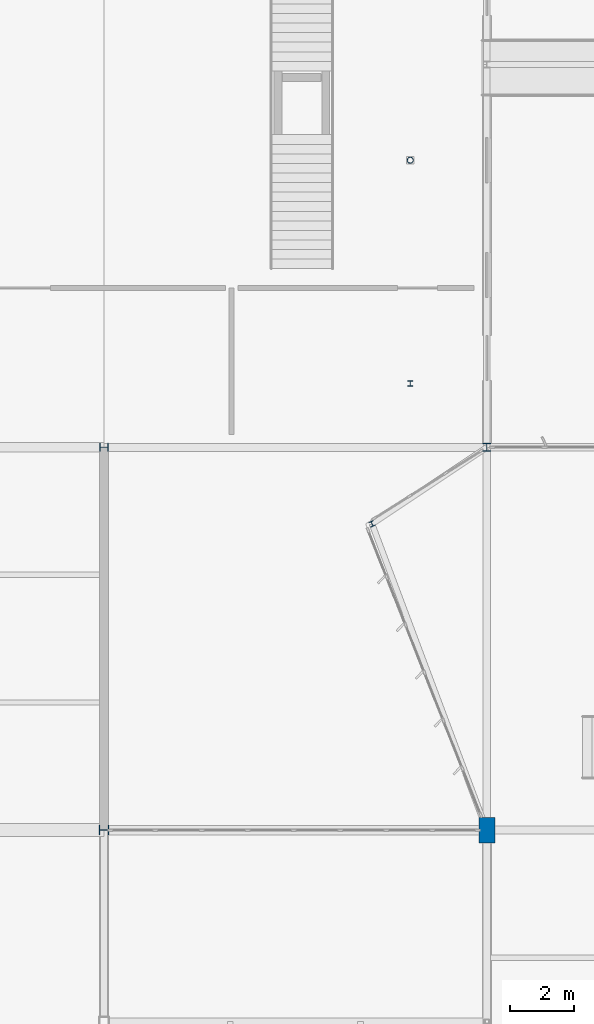
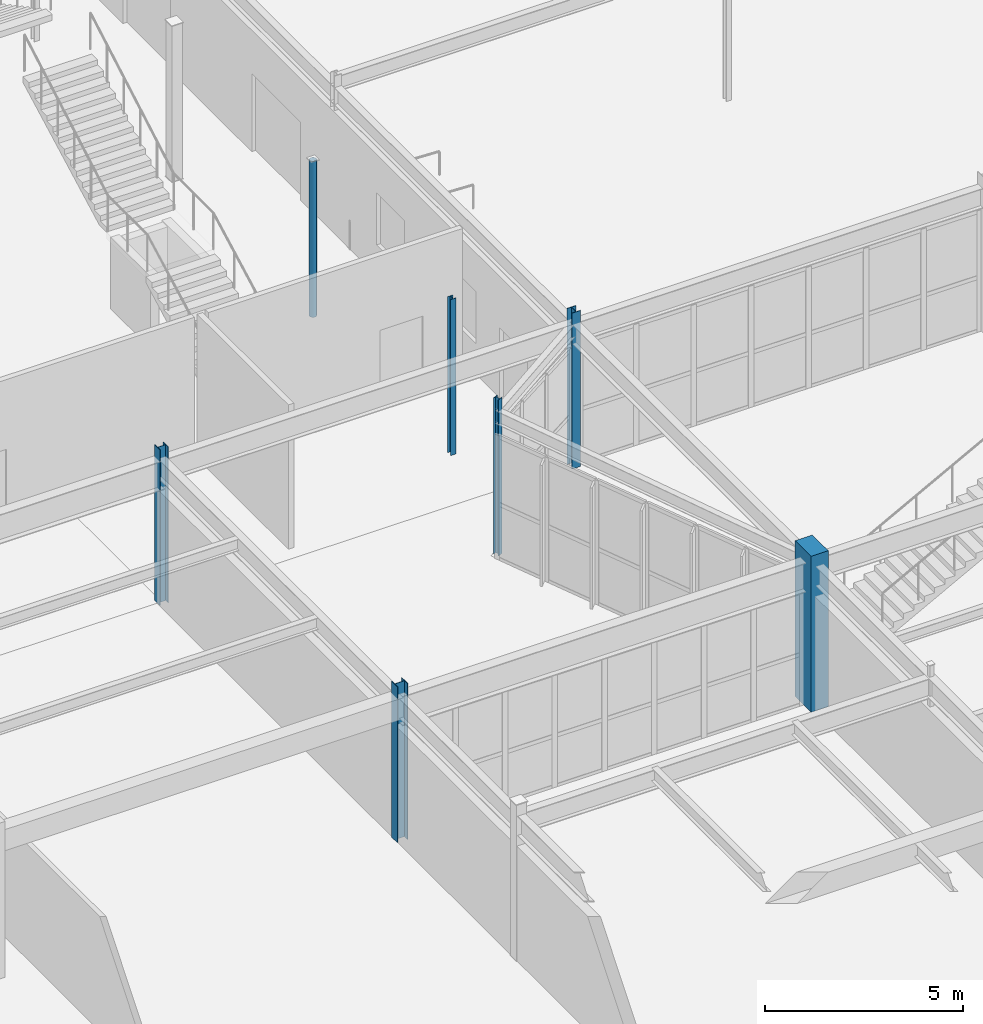
# One storey, part 44 of 199: 7 columns.
"""IFC4 building model written with IfcOpenShell, lengths in metres."""

import ifcopenshell
import ifcopenshell.guid

model = None  # the IFC model being written
_history = None  # IfcOwnerHistory: only IFC2X3 demands one
_inside = {}  # id of a spatial element -> (the spatial element, [elements in it])
_under = {}  # id of a project, library or spatial element -> (it, [spatial elements below it])
_declared = {}  # id of a project -> (the project, [libraries it declares])
_typed = {}  # id of a type object -> (the type object, [elements of that type])
_made_of = {}  # id of a material, layer set ... -> (it, [elements and type objects made of it])


def new_model(schema):
    """Start an empty IFC model of exactly this schema.

    Asked for "IFC4X3", IfcOpenShell would pick the latest addendum, in which some entities
    have other attributes; the version numbers below select the first issue.
    IFC2X3 requires an IfcOwnerHistory on every rooted entity: one is made here for all.
    """
    global model, _history
    if schema == "IFC4X3":
        model = ifcopenshell.file(schema_version=(4, 3, 0, 0))
    else:
        model = ifcopenshell.file(schema=schema)
    _inside.clear()
    _under.clear()
    _declared.clear()
    _typed.clear()
    _made_of.clear()
    _history = None
    if model.schema == "IFC2X3":
        org = make("IfcOrganization", Name="unknown")
        user = make(
            "IfcPersonAndOrganization",
            ThePerson=make("IfcPerson", FamilyName="unknown"),
            TheOrganization=org,
        )
        app = make(
            "IfcApplication",
            ApplicationDeveloper=org,
            Version="unknown",
            ApplicationFullName="unknown",
            ApplicationIdentifier="unknown",
        )
        _history = make(
            "IfcOwnerHistory",
            OwningUser=user,
            OwningApplication=app,
            ChangeAction="ADDED",
            CreationDate=0,
        )
    return model


def make(cls, **values):
    """One entity of the class cls with the attributes given. An attribute that is None is left unset."""
    return model.create_entity(
        cls, **{name: value for name, value in values.items() if value is not None}
    )


def rooted(cls, **values):
    """An entity with a GlobalId (a new one), such as an element, a storey or a relation."""
    return make(cls, GlobalId=ifcopenshell.guid.new(), OwnerHistory=_history, **values)


def si_unit(unit_type, name, prefix=None):
    """IfcSIUnit, for example si_unit("LENGTHUNIT", "METRE", prefix="MILLI")."""
    return make("IfcSIUnit", UnitType=unit_type, Prefix=prefix, Name=name)


def assignment(units):
    """IfcUnitAssignment: the units of a project."""
    return None if units is None else make("IfcUnitAssignment", Units=units)


def point(xyz):
    """IfcCartesianPoint."""
    return None if xyz is None else make("IfcCartesianPoint", Coordinates=xyz)


def direction(xyz):
    """IfcDirection."""
    return None if xyz is None else make("IfcDirection", DirectionRatios=xyz)


def frame(location, z_axis=None, x_axis=None):
    """IfcAxis2Placement3D, a coordinate frame: its origin and axes. An axis left out is left unset."""
    return make(
        "IfcAxis2Placement3D",
        Location=point(location),
        Axis=direction(z_axis),
        RefDirection=direction(x_axis),
    )


def frame_2d(location, x_axis=None):
    """IfcAxis2Placement2D, a coordinate frame in the plane: its origin and x axis."""
    return make(
        "IfcAxis2Placement2D", Location=point(location), RefDirection=direction(x_axis)
    )


def origin():
    """The frame at (0, 0, 0) with its axes left unset."""
    return frame((0.0, 0.0, 0.0))


def origin_2d():
    """The frame at (0, 0) in the plane with its x axis left unset."""
    return frame_2d((0.0, 0.0))


def place(relative_to, where):
    """IfcLocalPlacement: puts the frame where relative to a parent placement (None: the world)."""
    return make(
        "IfcLocalPlacement", PlacementRelTo=relative_to, RelativePlacement=where
    )


def context(
    kind, dimensions, precision=None, world=None, true_north=None, identifier=None
):
    """IfcGeometricRepresentationContext, for example the 3D "Model" context."""
    return make(
        "IfcGeometricRepresentationContext",
        ContextIdentifier=identifier,
        ContextType=kind,
        CoordinateSpaceDimension=dimensions,
        Precision=precision,
        WorldCoordinateSystem=world,
        TrueNorth=true_north,
    )


def subcontext(parent, identifier, kind, view, scale=None):
    """IfcGeometricRepresentationSubContext, for example "Body" below "Model"."""
    return make(
        "IfcGeometricRepresentationSubContext",
        ContextIdentifier=identifier,
        ContextType=kind,
        ParentContext=parent,
        TargetScale=scale,
        TargetView=view,
    )


def project(units=None, contexts=None):
    """IfcProject with its units and contexts."""
    return rooted(
        "IfcProject",
        Name="project",
        RepresentationContexts=contexts,
        UnitsInContext=assignment(units),
    )


def spatial(cls, under=None, at=None, **own):
    """A site, building, storey or space (cls), placed at a placement, below another one or the project."""
    s = rooted(cls, ObjectPlacement=at, **own)
    if under is not None:
        _under.setdefault(under.id(), (under, []))[1].append(s)
    return s


def profile(cls, at=None, kind="AREA", **sizes):
    """A parametric profile (cls). Its sizes go by their IFC names, for example OverallWidth=200.0."""
    return make(cls, ProfileType=kind, Position=at, **sizes)


def rectangle(**sizes):
    """IfcRectangleProfileDef."""
    return profile("IfcRectangleProfileDef", **sizes)


def hollow_circle(**sizes):
    """IfcCircleHollowProfileDef."""
    return profile("IfcCircleHollowProfileDef", **sizes)


def i_section(**sizes):
    """IfcIShapeProfileDef."""
    return profile("IfcIShapeProfileDef", **sizes)


def extrude(swept, where, along, depth):
    """IfcExtrudedAreaSolid: the profile swept, set in the frame where, extruded along a direction by depth."""
    return make(
        "IfcExtrudedAreaSolid",
        SweptArea=swept,
        Position=where,
        ExtrudedDirection=direction(along),
        Depth=depth,
    )


def shape(context_of_items, identifier, shape_type, items):
    """IfcShapeRepresentation: the items that make up one representation, for example the "Body"."""
    return make(
        "IfcShapeRepresentation",
        ContextOfItems=context_of_items,
        RepresentationIdentifier=identifier,
        RepresentationType=shape_type,
        Items=items,
    )


def material(Name=None, Category=None):
    """IfcMaterial."""
    return make("IfcMaterial", Name=Name, Category=Category)


def material_profile(
    of_material, cross_section, Name=None, Category=None, Priority=None
):
    """IfcMaterialProfile: a cross section and its material."""
    return make(
        "IfcMaterialProfile",
        Name=Name,
        Material=of_material,
        Profile=cross_section,
        Priority=Priority,
        Category=Category,
    )


def profile_set(profiles, Name=None, composite=None):
    """IfcMaterialProfileSet."""
    return make(
        "IfcMaterialProfileSet",
        Name=Name,
        MaterialProfiles=profiles,
        CompositeProfile=composite,
    )


def made_of(thing, what):
    """Note that an element or type object is made of a material, layer set ...; save() writes the relation."""
    if what is not None:
        _made_of.setdefault(what.id(), (what, []))[1].append(thing)
    return thing


def type_object(cls, material=None, **own):
    """A type object (cls), such as IfcWallType, which elements share."""
    return made_of(rooted(cls, **own), material)


def element(
    cls,
    number,
    at=None,
    inside=None,
    cuts=None,
    type_object=None,
    material=None,
    context=None,
    identifier="Body",
    shape_type=None,
    held_by="IfcProductDefinitionShape",
    body=None,
    shapes=None,
    **own,
):
    """One element of the class cls, such as IfcWall. Its Tag is "e" and its number.

    at: its placement. inside: the storey or other place that contains it. cuts: it is an
    opening in that element (IfcRelVoidsElement). A single representation is given by context,
    identifier, shape_type and body (its items); several are given by shapes. held_by: the class
    of the entity that holds the representations. save() writes the other relations.
    """
    e = rooted(cls, Tag="e%d" % number, ObjectPlacement=at, **own)
    if body is not None:
        shapes = [shape(context, identifier, shape_type, body)]
    if shapes is not None:
        e.Representation = make(held_by, Representations=shapes)
    if inside is not None:
        _inside.setdefault(inside.id(), (inside, []))[1].append(e)
    if cuts is not None:
        rooted(
            "IfcRelVoidsElement", RelatingBuildingElement=cuts, RelatedOpeningElement=e
        )
    if type_object is not None:
        _typed.setdefault(type_object.id(), (type_object, []))[1].append(e)
    return made_of(e, material)


def aggregate(whole, parts):
    """IfcRelAggregates: a whole, such as a stair, and the parts it consists of."""
    return rooted("IfcRelAggregates", RelatingObject=whole, RelatedObjects=parts)


def save(model, path):
    """Write the relations noted so far, then the file.

    IfcRelAggregates (storeys below a building ...), IfcRelContainedInSpatialStructure (elements
    in a storey), IfcRelDefinesByType, IfcRelAssociatesMaterial and IfcRelDeclares: one each for
    every whole, place, type object, material and project.
    """
    for whole, parts in _under.values():
        aggregate(whole, parts)
    for where, things in _inside.values():
        rooted(
            "IfcRelContainedInSpatialStructure",
            RelatedElements=things,
            RelatingStructure=where,
        )
    for kind, things in _typed.values():
        rooted("IfcRelDefinesByType", RelatedObjects=things, RelatingType=kind)
    for what, things in _made_of.values():
        rooted("IfcRelAssociatesMaterial", RelatedObjects=things, RelatingMaterial=what)
    for by, libraries in _declared.values():
        rooted("IfcRelDeclares", RelatingContext=by, RelatedDefinitions=libraries)
    model.write(path)


model = new_model("IFC4")

# Units and contexts
model_context = context("Model", 3, precision=1e-05, world=origin(), true_north=direction((0.0, 1.0)))
body_context = subcontext(model_context, "Body", "Model", "MODEL_VIEW")
ifc_project = project(units=[si_unit("LENGTHUNIT", "METRE"), si_unit("AREAUNIT", "SQUARE_METRE"), si_unit("VOLUMEUNIT", "CUBIC_METRE"), si_unit("PLANEANGLEUNIT", "RADIAN"), si_unit("MASSUNIT", "GRAM", prefix="KILO")], contexts=[model_context])

# Site, building, storey
site_placement = place(None, origin())
site = spatial("IfcSite", under=ifc_project, at=site_placement, CompositionType="ELEMENT")
building_placement = place(site_placement, origin())
building = spatial("IfcBuilding", under=site, at=building_placement, Name="Tarnwether General Hospital", CompositionType="ELEMENT")
storey_placement = place(building_placement, origin())
storey = spatial("IfcBuildingStorey", under=building, at=storey_placement, Name="L00", CompositionType="ELEMENT", Elevation=0.0)

# Columns
ifc_material_1 = material(Name="Steel Grade 350 (350 MPa)", Category="steel")
ifc_material_profile_1 = material_profile(ifc_material_1, i_section(OverallWidth=0.304931640625, OverallDepth=0.30810546875, WebThickness=0.010009765625, FlangeThickness=0.015380859375, at=origin_2d()), Name="310UC96.8")
ifc_profile_set_1 = profile_set([ifc_material_profile_1], Name="Steel Grade 350 (350 MPa)")
column_type_1 = type_object("IfcColumnType", Name="COL-08", PredefinedType="COLUMN", material=ifc_profile_set_1)
column_1_placement = place(storey_placement, frame((132.0, 33.60009765625, 0.0), z_axis=(0.0, 0.0, 1.0), x_axis=(0.0, 1.0, 0.0)))
element("IfcColumn", 1, at=column_1_placement, inside=storey, type_object=column_type_1, Name="Column COLG-L00-13200_3360", PredefinedType="COLUMN", context=body_context, shape_type="SweptSolid", body=[
    extrude(i_section(OverallWidth=0.304931640625, OverallDepth=0.30810546875, WebThickness=0.010009765625, FlangeThickness=0.015380859375, at=origin_2d()), origin(), (0.0, 0.0, 1.0), 4.800048828125),
])
ifc_material_2 = material(Name="Steel Grade 350 (350 MPa)", Category="steel")
ifc_material_profile_2 = material_profile(ifc_material_2, i_section(OverallWidth=0.256103515625, OverallDepth=0.260009765625, WebThickness=0.010498046875, FlangeThickness=0.017333984375, at=origin_2d()), Name="250UC89.5")
ifc_profile_set_2 = profile_set([ifc_material_profile_2], Name="Steel Grade 350 (350 MPa)")
column_type_2 = type_object("IfcColumnType", Name="COL-09", PredefinedType="COLUMN", material=ifc_profile_set_2)
column_2_placement = place(storey_placement, frame((132.0, 45.60009765625, 0.0), z_axis=(0.0, 0.0, 1.0), x_axis=(0.0, 1.0, 0.0)))
element("IfcColumn", 2, at=column_2_placement, inside=storey, type_object=column_type_2, Name="Column COLG-L00-13200_4560", PredefinedType="COLUMN", context=body_context, shape_type="SweptSolid", body=[
    extrude(i_section(OverallWidth=0.256103515625, OverallDepth=0.260009765625, WebThickness=0.010498046875, FlangeThickness=0.017333984375, at=origin_2d()), origin(), (0.0, 0.0, 1.0), 4.800048828125),
])
ifc_material_3 = material(Name="Concrete 50 MPa", Category="concrete")
ifc_material_profile_3 = material_profile(ifc_material_3, rectangle(XDim=0.5, YDim=0.800048828125, at=origin_2d()), Name="RC-PIL-500x800")
ifc_profile_set_3 = profile_set([ifc_material_profile_3], Name="Concrete 50 MPa")
column_type_3 = type_object("IfcColumnType", Name="COL-23", PredefinedType="PILASTER", material=ifc_profile_set_3)
column_3_placement = place(storey_placement, frame((144.0, 33.60009765625, 0.0), z_axis=(0.0, 0.0, 1.0), x_axis=(1.0, 0.0, 0.0)))
element("IfcColumn", 3, at=column_3_placement, inside=storey, type_object=column_type_3, Name="Column COLG-L00-14400_3360", PredefinedType="PILASTER", context=body_context, shape_type="SweptSolid", body=[
    extrude(rectangle(XDim=0.5, YDim=0.800048828125, at=origin_2d()), origin(), (0.0, 0.0, 1.0), 4.800048828125),
])
ifc_material_4 = material(Name="Steel Grade 350 (350 MPa)", Category="steel")
ifc_material_profile_4 = material_profile(ifc_material_4, i_section(OverallWidth=0.25390625, OverallDepth=0.25390625, WebThickness=0.008544921875, FlangeThickness=0.01416015625, at=origin_2d()), Name="250UC72.9")
ifc_profile_set_4 = profile_set([ifc_material_profile_4], Name="Steel Grade 350 (350 MPa)")
column_type_4 = type_object("IfcColumnType", Name="COL-24", PredefinedType="COLUMN", material=ifc_profile_set_4)
column_4_placement = place(storey_placement, frame((144.0, 45.60009765625, 0.0), z_axis=(0.0, 0.0, 1.0), x_axis=(1.0, 0.0, 0.0)))
element("IfcColumn", 4, at=column_4_placement, inside=storey, type_object=column_type_4, Name="Column COLG-L00-14400_4560", PredefinedType="COLUMN", context=body_context, shape_type="SweptSolid", body=[
    extrude(i_section(OverallWidth=0.25390625, OverallDepth=0.25390625, WebThickness=0.008544921875, FlangeThickness=0.01416015625, at=origin_2d()), origin(), (0.0, 0.0, 1.0), 4.800048828125),
])
ifc_material_5 = material(Name="Steel Grade 350 (350 MPa)", Category="steel")
ifc_material_profile_5 = material_profile(ifc_material_5, i_section(OverallWidth=0.154052734375, OverallDepth=0.162109375, WebThickness=0.008056640625, FlangeThickness=0.011474609375, at=origin_2d()), Name="150UC37.2")
ifc_profile_set_5 = profile_set([ifc_material_profile_5], Name="Steel Grade 350 (350 MPa)")
column_type_5 = type_object("IfcColumnType", Name="COL-28", PredefinedType="COLUMN", material=ifc_profile_set_5)
for number, where, z_axis, x_axis, name in (
    (5, (141.60009765625, 47.60009765625, 0.0), (0.0, 0.0, 1.0), (1.0, 0.0, 0.0), "Column COLG-L00-14160_4760"),
    (6, (140.39990234375, 43.199951171875, 0.0), (0.0, 0.0, 1.0), (0.913545457643, 0.406736643076, 0.0), "Column COLG-L00-14040_4320"),
):
    element("IfcColumn", number, at=place(storey_placement, frame(where, z_axis=z_axis, x_axis=x_axis)), inside=storey, type_object=column_type_5, Name=name, PredefinedType="COLUMN", context=body_context, shape_type="SweptSolid", body=[
        extrude(i_section(OverallWidth=0.154052734375, OverallDepth=0.162109375, WebThickness=0.008056640625, FlangeThickness=0.011474609375, at=origin_2d()), origin(), (0.0, 0.0, 1.0), 4.800048828125),
    ])
ifc_material_6 = material(Name="Steel Grade C350L0 (350 MPa)", Category="steel")
ifc_material_profile_6 = material_profile(ifc_material_6, hollow_circle(Radius=0.096923828125, WallThickness=0.008056640625, at=origin_2d()), Name="CHS193.7x8.0")
ifc_profile_set_6 = profile_set([ifc_material_profile_6], Name="Steel Grade C350L0 (350 MPa)")
column_type_6 = type_object("IfcColumnType", Name="COL-29", PredefinedType="COLUMN", material=ifc_profile_set_6)
column_5_placement = place(storey_placement, frame((141.60009765625, 54.60009765625, 0.0), z_axis=(0.0, 0.0, 1.0), x_axis=(1.0, 0.0, 0.0)))
element("IfcColumn", 7, at=column_5_placement, inside=storey, type_object=column_type_6, Name="Column COLG-L00-14160_5460", PredefinedType="COLUMN", context=body_context, shape_type="SweptSolid", body=[
    extrude(hollow_circle(Radius=0.096923828125, WallThickness=0.008056640625, at=origin_2d()), origin(), (0.0, 0.0, 1.0), 4.800048828125),
])

save(model, "model.ifc")
